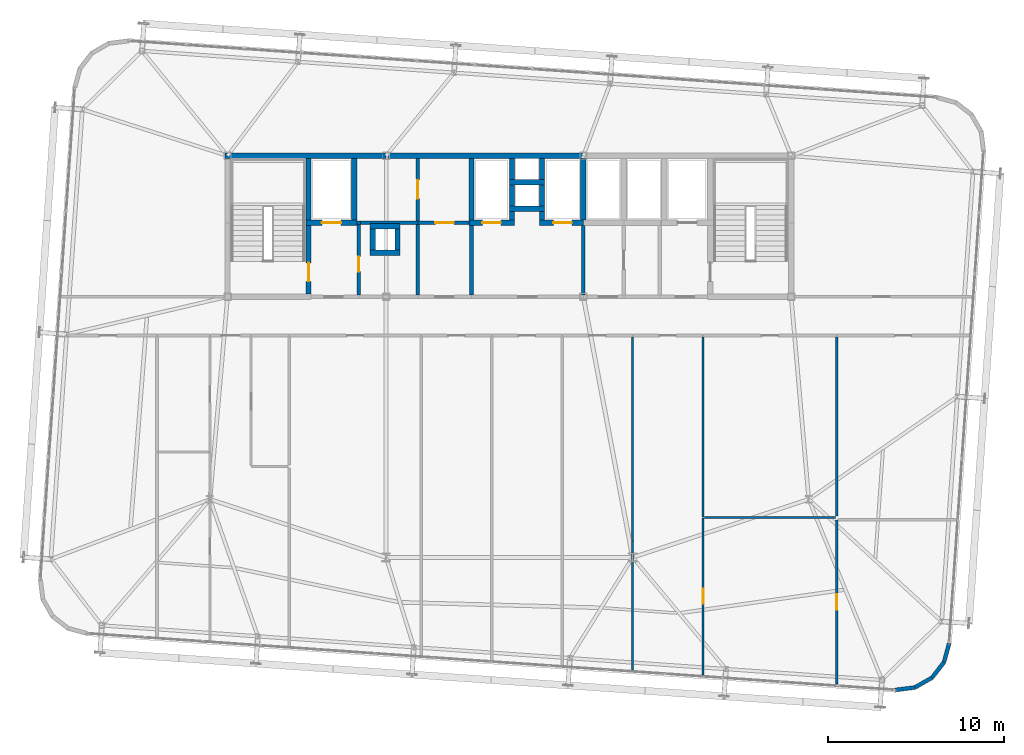
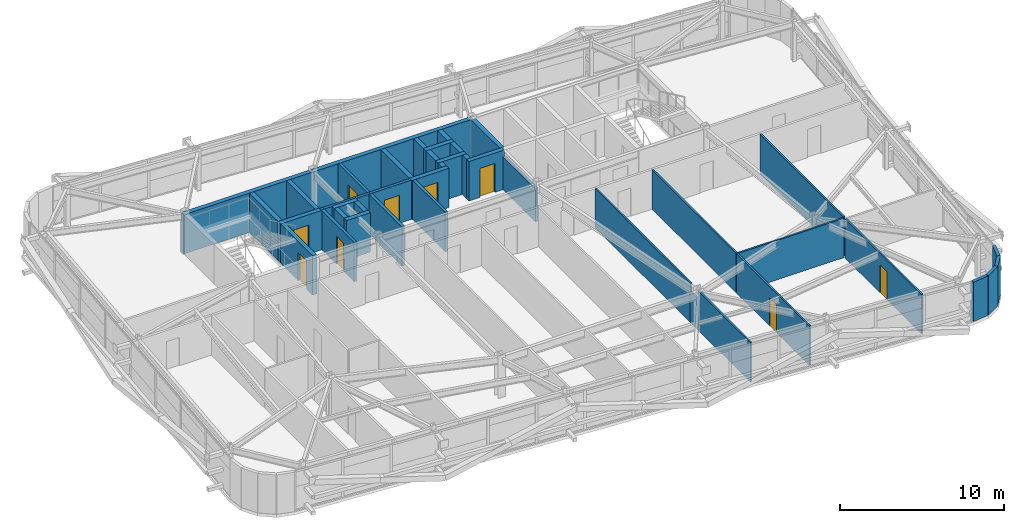
# One storey, part 42 of 47: 42 walls, 9 doors, 9 openings.
"""IFC4 building model written with IfcOpenShell, lengths in metres."""

from ifc_helpers import new_model, si_unit, direction, frame, frame_2d, origin, place, context, subcontext, project, spatial, rectangle, extrude, source, transform, mapped, material, layer, layer_set, type_object, element, fill, save


model = new_model("IFC4")

# Units and contexts
model_context = context("Model", 3, precision=1e-05, world=origin(), true_north=direction((0.0, 1.0)))
body_context = subcontext(model_context, "Body", "Model", "MODEL_VIEW")
ifc_project = project(units=[si_unit("LENGTHUNIT", "METRE"), si_unit("AREAUNIT", "SQUARE_METRE"), si_unit("VOLUMEUNIT", "CUBIC_METRE"), si_unit("PLANEANGLEUNIT", "RADIAN"), si_unit("MASSUNIT", "GRAM", prefix="KILO")], contexts=[model_context])

# Site, building, storey
site_placement = place(None, origin())
site = spatial("IfcSite", under=ifc_project, at=site_placement, CompositionType="ELEMENT")
building_placement = place(site_placement, origin())
building = spatial("IfcBuilding", under=site, at=building_placement, Name="Taldren Reach Tower", CompositionType="ELEMENT")
storey_placement = place(building_placement, frame((0.0, 0.0, 142.449951171875)))
storey = spatial("IfcBuildingStorey", under=building, at=storey_placement, Name="L43", CompositionType="ELEMENT", Elevation=142.449951171875)

# Walls
ifc_material_1 = material(Name="Pale Champagne Anodised Aluminium Cladding", Category="aluminium")
ifc_layer_1 = layer(ifc_material_1, 0.04, Name="Pale Champagne Anodised Aluminium Cladding", Category="aluminium")
ifc_material_2 = material(Name="Mineral Wool Acoustic Insulation", Category="insulation")
ifc_layer_2 = layer(ifc_material_2, 0.06, Name="Mineral Wool Acoustic Insulation", Category="insulation")
ifc_material_3 = material(Name="Steel Gr 350 (C350L0)", Category="steel")
ifc_layer_3 = layer(ifc_material_3, 0.12, Name="Steel Gr 350 (C350L0)", Category="steel")
ifc_layer_set_1 = layer_set([ifc_layer_1, ifc_layer_2, ifc_layer_3], Name="Pale Champagne Aluminium Cladding and Steel Gr 350 Stud Framing")
wall_type_1 = type_object("IfcWallType", Name="EW-CRN-220", PredefinedType="SOLIDWALL", material=ifc_layer_set_1)
shared_shape_1 = source(origin(), body_context, "Body", "SweptSolid", [
    extrude(rectangle(XDim=1.115966796875, YDim=0.219970703125, at=frame_2d((0.55810546875, 0.0))), origin(), (0.0, 0.0, 1.0), 2.929931640625),
])
for number, where, z_axis, x_axis, name in (
    (1, (58.02490234375, 1.8173828125, 0.0), (0.0, 0.0, 1.0), (0.868095010314, 0.496398079235, 0.0), "Rounded-corner pale-metal facade wall L43-SE2"),
    (2, (58.99365234375, 2.371337890625, 0.0), (0.0, 0.0, 1.0), (0.612318787668, 0.790610967714, 0.0), "Rounded-corner pale-metal facade wall L43-SE3"),
    (3, (59.677001953125, 3.253662109375, 0.0), (0.0, 0.0, 1.0), (0.262969307856, 0.964804199372, 0.0), "Rounded-corner pale-metal facade wall L43-SE4"),
):
    element("IfcWall", number, at=place(storey_placement, frame(where, z_axis=z_axis, x_axis=x_axis)), inside=storey, type_object=wall_type_1, Name=name, PredefinedType="SOLIDWALL", context=body_context, shape_type="MappedRepresentation", body=[
        mapped(shared_shape_1, transform((0.0, 0.0, 0.0), scale=1.0)),
    ])
shared_shape_2 = source(origin(), body_context, "Body", "SweptSolid", [
    extrude(rectangle(XDim=1.11572265625, YDim=0.219970703125, at=frame_2d((0.557861328125, 0.0))), origin(), (0.0, 0.0, 1.0), 2.929931640625),
])
wall_1_placement = place(storey_placement, frame((56.91796875, 1.6767578125, 0.0), z_axis=(0.0, 0.0, 1.0), x_axis=(0.99202678349, 0.126027222605, 0.0)))
element("IfcWall", 4, at=wall_1_placement, inside=storey, type_object=wall_type_1, Name="Rounded-corner pale-metal facade wall L43-SE1", PredefinedType="SOLIDWALL", context=body_context, shape_type="MappedRepresentation", body=[
    mapped(shared_shape_2, transform((0.0, 0.0, 0.0), scale=1.0)),
])
ifc_material_4 = material(Name="Concrete S65 (65 MPa)", Category="concrete")
ifc_layer_4 = layer(ifc_material_4, 0.300048828125)
ifc_layer_set_2 = layer_set([ifc_layer_4], Name="Concrete S65 (65 MPa)")
wall_type_2 = type_object("IfcWallType", Name="IW-CORE-300", PredefinedType="SHEAR", material=ifc_layer_set_2)
shared_shape_3 = source(origin(), body_context, "Body", "SweptSolid", [
    extrude(rectangle(XDim=9.14990234375, YDim=0.300048828125, at=frame_2d((4.574951171875, 0.0))), origin(), (0.0, 0.0, 1.0), 2.929931640625),
])
wall_2_placement = place(storey_placement, frame((18.85009765625, 32.0, 0.0), z_axis=(0.0, 0.0, 1.0), x_axis=(1.0, 0.0, 0.0)))
element("IfcWall", 5, at=wall_2_placement, inside=storey, type_object=wall_type_2, Name="Rear Core Shear Wall W-CORE-L43-NORTH1", PredefinedType="SHEAR", context=body_context, shape_type="MappedRepresentation", body=[
    mapped(shared_shape_3, transform((0.0, 0.0, 0.0), scale=1.0)),
])
shared_shape_4 = source(origin(), body_context, "Body", "SweptSolid", [
    extrude(rectangle(XDim=11.199951171875, YDim=0.300048828125, at=frame_2d((5.60009765625, 0.0))), origin(), (0.0, 0.0, 1.0), 2.929931640625),
])
wall_3_placement = place(storey_placement, frame((28.0, 32.0, 0.0), z_axis=(0.0, 0.0, 1.0), x_axis=(1.0, 0.0, 0.0)))
element("IfcWall", 6, at=wall_3_placement, inside=storey, type_object=wall_type_2, Name="Rear Core Shear Wall W-CORE-L43-NORTH2", PredefinedType="SHEAR", context=body_context, shape_type="MappedRepresentation", body=[
    mapped(shared_shape_4, transform((0.0, 0.0, 0.0), scale=1.0)),
])
shared_shape_5 = source(origin(), body_context, "Body", "SweptSolid", [
    extrude(rectangle(XDim=3.5, YDim=0.300048828125, at=frame_2d((1.75, 0.0))), origin(), (0.0, 0.0, 1.0), 2.929931640625),
])
for number, where, z_axis, x_axis, name in (
    (7, (23.60009765625, 28.35009765625, 0.0), (0.0, 0.0, 1.0), (0.0, 1.0, 0.0), "Rear Core Shear Wall W-INT-L43-001"),
    (8, (26.199951171875, 28.35009765625, 0.0), (0.0, 0.0, 1.0), (0.0, 1.0, 0.0), "Rear Core Shear Wall W-INT-L43-005"),
    (9, (32.85009765625, 31.85009765625, 0.0), (0.0, 0.0, 1.0), (0.0, -1.0, 0.0), "Rear Core Shear Wall W-INT-L43-027"),
    (10, (39.199951171875, 28.35009765625, 0.0), (0.0, 0.0, 1.0), (0.0, 1.0, 0.0), "Rear Core Shear Wall W-INT-L43-030"),
):
    element("IfcWall", number, at=place(storey_placement, frame(where, z_axis=z_axis, x_axis=x_axis)), inside=storey, type_object=wall_type_2, Name=name, PredefinedType="SHEAR", context=body_context, shape_type="MappedRepresentation", body=[
        mapped(shared_shape_5, transform((0.0, 0.0, 0.0), scale=1.0)),
    ])

# Wall, opening, door
shared_shape_6 = source(origin(), body_context, "Body", "SweptSolid", [
    extrude(rectangle(XDim=3.900146484375, YDim=0.300048828125, at=frame_2d((1.9501953125, 0.0))), origin(), (0.0, 0.0, 1.0), 2.929931640625),
])
wall_4_placement = place(storey_placement, frame((23.60009765625, 24.14990234375, 0.0), z_axis=(0.0, 0.0, 1.0), x_axis=(0.0, 1.0, 0.0)))
wall_4 = element("IfcWall", 11, at=wall_4_placement, inside=storey, type_object=wall_type_2, Name="Rear Core Shear Wall W-INT-L43-002", PredefinedType="SHEAR", context=body_context, shape_type="MappedRepresentation", body=[
    mapped(shared_shape_6, transform((0.0, 0.0, 0.0), scale=1.0)),
])
shared_shape_7 = source(origin(), body_context, "Body", "SweptSolid", [
    extrude(rectangle(XDim=1.050048828125, YDim=2.10009765625, at=frame_2d((0.52490234375, 1.050048828125))), frame((0.0, 0.16015625, 0.0), z_axis=(0.0, -1.0, 0.0), x_axis=(1.0, 0.0, 0.0)), (0.0, 0.0, 1.0), 0.320068359375),
])
opening_1_placement = place(wall_4_placement, frame((0.72509765625, 0.0, 0.0)))
opening_1 = element("IfcOpeningElement", 12, at=opening_1_placement, cuts=wall_4, Name="Opening DF-105", PredefinedType="OPENING", context=body_context, shape_type="MappedRepresentation", body=[
    mapped(shared_shape_7, transform((0.0, 0.0, 0.0), scale=1.0)),
])
ifc_material_5 = material(Name="Fire-Rated Care and Stair Exit Door")
door_type_1 = type_object("IfcDoorType", Name="ID-FIRE-105", OperationType="NOTDEFINED", PredefinedType="DOOR", material=ifc_material_5)
shared_shape_8 = source(origin(), body_context, "Body", "SweptSolid", [
    extrude(rectangle(XDim=1.050048828125, YDim=2.10009765625, at=frame_2d((0.52490234375, 1.050048828125))), frame((0.0, 0.02490234375, 0.0), z_axis=(0.0, -1.0, 0.0), x_axis=(1.0, 0.0, 0.0)), (0.0, 0.0, 1.0), 0.050048828125),
])
door_1_placement = place(opening_1_placement, origin())
door_1 = element("IfcDoor", 13, at=door_1_placement, inside=storey, type_object=door_type_1, Name="Fire Exit Stair Door DR-L43-001", OperationType="SINGLE_SWING_LEFT", OverallHeight=2.10009765625, OverallWidth=1.050048828125, PredefinedType="DOOR", context=body_context, shape_type="MappedRepresentation", body=[
    mapped(shared_shape_8, transform((0.0, 0.0, 0.0), scale=1.0)),
])
fill(opening_1, door_1)

shared_shape_9 = source(origin(), body_context, "Body", "SweptSolid", [
    extrude(rectangle(XDim=2.900146484375, YDim=0.300048828125, at=frame_2d((1.4501953125, 0.0))), origin(), (0.0, 0.0, 1.0), 2.929931640625),
])
wall_5_placement = place(storey_placement, frame((23.449951171875, 28.199951171875, 0.0), z_axis=(0.0, 0.0, 1.0), x_axis=(1.0, 0.0, 0.0)))
wall_5 = element("IfcWall", 14, at=wall_5_placement, inside=storey, type_object=wall_type_2, Name="Rear Core Shear Wall W-INT-L43-004", PredefinedType="SHEAR", context=body_context, shape_type="MappedRepresentation", body=[
    mapped(shared_shape_9, transform((0.0, 0.0, 0.0), scale=1.0)),
])
shared_shape_10 = source(origin(), body_context, "Body", "SweptSolid", [
    extrude(rectangle(XDim=1.10009765625, YDim=2.14990234375, at=frame_2d((0.550048828125, 1.074951171875))), frame((0.0, 0.16015625, 0.0), z_axis=(0.0, -1.0, 0.0), x_axis=(1.0, 0.0, 0.0)), (0.0, 0.0, 1.0), 0.320068359375),
])
opening_2_placement = place(wall_5_placement, frame((0.89990234375, 0.0, 0.0)))
opening_2 = element("IfcOpeningElement", 15, at=opening_2_placement, cuts=wall_5, Name="Opening LD-FL1", PredefinedType="OPENING", context=body_context, shape_type="MappedRepresentation", body=[
    mapped(shared_shape_10, transform((0.0, 0.0, 0.0), scale=1.0)),
])
ifc_material_6 = material(Name="Stainless Steel Gr 316 Emergency Lift Landing Door", Category="steel")
door_type_2 = type_object("IfcDoorType", Name="LD-EMG-110", OperationType="SLIDING_TO_LEFT", PredefinedType="DOOR", material=ifc_material_6)
shared_shape_11 = source(origin(), body_context, "Body", "SweptSolid", [
    extrude(rectangle(XDim=1.10009765625, YDim=2.14990234375, at=frame_2d((0.550048828125, 1.074951171875))), frame((0.0, 0.02490234375, 0.0), z_axis=(0.0, -1.0, 0.0), x_axis=(1.0, 0.0, 0.0)), (0.0, 0.0, 1.0), 0.050048828125),
])
door_2_placement = place(opening_2_placement, origin())
door_2 = element("IfcDoor", 16, at=door_2_placement, inside=storey, type_object=door_type_2, Name="Lift Landing Door LD-FL1-L43", OperationType="SLIDING_TO_LEFT", OverallHeight=2.14990234375, OverallWidth=1.10009765625, PredefinedType="DOOR", context=body_context, shape_type="MappedRepresentation", body=[
    mapped(shared_shape_11, transform((0.0, 0.0, 0.0), scale=1.0)),
])
fill(opening_2, door_2)

# Walls
ifc_material_7 = material(Name="Concrete S50 (50 MPa)", Category="concrete")
ifc_layer_5 = layer(ifc_material_7, 0.199951171875)
ifc_layer_set_3 = layer_set([ifc_layer_5], Name="Concrete S50 (50 MPa)")
wall_type_3 = type_object("IfcWallType", Name="IW-CORE-200", PredefinedType="SOLIDWALL", material=ifc_layer_set_3)
shared_shape_12 = source(origin(), body_context, "Body", "SweptSolid", [
    extrude(rectangle(XDim=3.949951171875, YDim=0.199951171875, at=frame_2d((1.97509765625, 0.0))), origin(), (0.0, 0.0, 1.0), 2.929931640625),
])
wall_6_placement = place(storey_placement, frame((32.85009765625, 24.10009765625, 0.0), z_axis=(0.0, 0.0, 1.0), x_axis=(0.0, 1.0, 0.0)))
element("IfcWall", 17, at=wall_6_placement, inside=storey, type_object=wall_type_3, Name="Rear Core Shear Wall W-INT-L43-031", PredefinedType="SOLIDWALL", context=body_context, shape_type="MappedRepresentation", body=[
    mapped(shared_shape_12, transform((0.0, 0.0, 0.0), scale=1.0)),
])
shared_shape_13 = source(origin(), body_context, "Body", "SweptSolid", [
    extrude(rectangle(XDim=2.0, YDim=0.300048828125, at=frame_2d((1.0, 0.0))), origin(), (0.0, 0.0, 1.0), 2.929931640625),
])
for number, where, z_axis, x_axis, name in (
    (18, (35.0, 30.5, 0.0), (0.0, 0.0, 1.0), (1.0, 0.0, 0.0), "Rear Core Shear Wall W-INT-L43-015"),
    (19, (35.0, 29.0, 0.0), (0.0, 0.0, 1.0), (1.0, 0.0, 0.0), "Rear Core Shear Wall W-INT-L43-020"),
):
    element("IfcWall", number, at=place(storey_placement, frame(where, z_axis=z_axis, x_axis=x_axis)), inside=storey, type_object=wall_type_2, Name=name, PredefinedType="SHEAR", context=body_context, shape_type="MappedRepresentation", body=[
        mapped(shared_shape_13, transform((0.0, 0.0, 0.0), scale=1.0)),
    ])
shared_shape_14 = source(origin(), body_context, "Body", "SweptSolid", [
    extrude(rectangle(XDim=1.2001953125, YDim=0.300048828125, at=frame_2d((0.60009765625, 0.0))), origin(), (0.0, 0.0, 1.0), 2.929931640625),
])
for number, where, z_axis, x_axis, name in (
    (20, (35.14990234375, 31.85009765625, 0.0), (0.0, 0.0, 1.0), (0.0, -1.0, 0.0), "Rear Core Shear Wall W-INT-L43-016"),
    (21, (36.85009765625, 30.64990234375, 0.0), (0.0, 0.0, 1.0), (0.0, 1.0, 0.0), "Rear Core Shear Wall W-INT-L43-017"),
    (22, (35.14990234375, 30.35009765625, 0.0), (0.0, 0.0, 1.0), (0.0, -1.0, 0.0), "Rear Core Shear Wall W-INT-L43-018"),
    (23, (36.85009765625, 29.14990234375, 0.0), (0.0, 0.0, 1.0), (0.0, 1.0, 0.0), "Rear Core Shear Wall W-INT-L43-019"),
    (24, (28.64990234375, 26.64990234375, 0.0), (0.0, 0.0, 1.0), (0.0, 1.0, 0.0), "Rear Core Shear Wall W-INT-L43-021"),
    (25, (27.25, 27.85009765625, 0.0), (0.0, 0.0, 1.0), (0.0, -1.0, 0.0), "Rear Core Shear Wall W-INT-L43-022"),
):
    element("IfcWall", number, at=place(storey_placement, frame(where, z_axis=z_axis, x_axis=x_axis)), inside=storey, type_object=wall_type_2, Name=name, PredefinedType="SHEAR", context=body_context, shape_type="MappedRepresentation", body=[
        mapped(shared_shape_14, transform((0.0, 0.0, 0.0), scale=1.0)),
    ])
shared_shape_15 = source(origin(), body_context, "Body", "SweptSolid", [
    extrude(rectangle(XDim=0.5, YDim=0.300048828125, at=frame_2d((0.25, 0.0))), origin(), (0.0, 0.0, 1.0), 2.929931640625),
])
for number, where, z_axis, x_axis, name in (
    (26, (35.14990234375, 28.35009765625, 0.0), (0.0, 0.0, 1.0), (0.0, 1.0, 0.0), "Rear Core Shear Wall W-INT-L43-026"),
    (27, (36.85009765625, 28.85009765625, 0.0), (0.0, 0.0, 1.0), (0.0, -1.0, 0.0), "Rear Core Shear Wall W-INT-L43-029"),
):
    element("IfcWall", number, at=place(storey_placement, frame(where, z_axis=z_axis, x_axis=x_axis)), inside=storey, type_object=wall_type_2, Name=name, PredefinedType="SHEAR", context=body_context, shape_type="MappedRepresentation", body=[
        mapped(shared_shape_15, transform((0.0, 0.0, 0.0), scale=1.0)),
    ])

# Wall, opening, door
shared_shape_16 = source(origin(), body_context, "Body", "SweptSolid", [
    extrude(rectangle(XDim=2.60009765625, YDim=0.300048828125, at=frame_2d((1.300048828125, 0.0))), origin(), (0.0, 0.0, 1.0), 2.929931640625),
])
wall_7_placement = place(storey_placement, frame((32.699951171875, 28.199951171875, 0.0), z_axis=(0.0, 0.0, 1.0), x_axis=(1.0, 0.0, 0.0)))
wall_7 = element("IfcWall", 28, at=wall_7_placement, inside=storey, type_object=wall_type_2, Name="Rear Core Shear Wall W-INT-L43-025", PredefinedType="SHEAR", context=body_context, shape_type="MappedRepresentation", body=[
    mapped(shared_shape_16, transform((0.0, 0.0, 0.0), scale=1.0)),
])
shared_shape_17 = source(origin(), body_context, "Body", "SweptSolid", [
    extrude(rectangle(XDim=1.050048828125, YDim=2.14990234375, at=frame_2d((0.52490234375, 1.074951171875))), frame((0.0, 0.16015625, 0.0), z_axis=(0.0, -1.0, 0.0), x_axis=(1.0, 0.0, 0.0)), (0.0, 0.0, 1.0), 0.320068359375),
])
opening_3_placement = place(wall_7_placement, frame((0.77490234375, 0.0, 0.0)))
opening_3 = element("IfcOpeningElement", 29, at=opening_3_placement, cuts=wall_7, Name="Opening LD-PM1", PredefinedType="OPENING", context=body_context, shape_type="MappedRepresentation", body=[
    mapped(shared_shape_17, transform((0.0, 0.0, 0.0), scale=1.0)),
])
ifc_material_8 = material(Name="Stainless Steel Gr 316 Passenger Lift Landing Door", Category="steel")
door_type_3 = type_object("IfcDoorType", Name="LD-PAS-105", OperationType="SLIDING_TO_LEFT", PredefinedType="DOOR", material=ifc_material_8)
shared_shape_18 = source(origin(), body_context, "Body", "SweptSolid", [
    extrude(rectangle(XDim=1.050048828125, YDim=2.14990234375, at=frame_2d((0.52490234375, 1.074951171875))), frame((0.0, 0.02490234375, 0.0), z_axis=(0.0, -1.0, 0.0), x_axis=(1.0, 0.0, 0.0)), (0.0, 0.0, 1.0), 0.050048828125),
])
door_3_placement = place(opening_3_placement, origin())
door_3 = element("IfcDoor", 30, at=door_3_placement, inside=storey, type_object=door_type_3, Name="Lift Landing Door LD-PM1-L43", OperationType="SLIDING_TO_LEFT", OverallHeight=2.14990234375, OverallWidth=1.050048828125, PredefinedType="DOOR", context=body_context, shape_type="MappedRepresentation", body=[
    mapped(shared_shape_18, transform((0.0, 0.0, 0.0), scale=1.0)),
])
fill(opening_3, door_3)

shared_shape_19 = source(origin(), body_context, "Body", "SweptSolid", [
    extrude(rectangle(XDim=4.0, YDim=0.199951171875, at=frame_2d((2.0, 0.0))), origin(), (0.0, 0.0, 1.0), 2.929931640625),
])
wall_8_placement = place(storey_placement, frame((26.449951171875, 24.10009765625, 0.0), z_axis=(0.0, 0.0, 1.0), x_axis=(0.0, 1.0, 0.0)))
wall_8 = element("IfcWall", 31, at=wall_8_placement, inside=storey, type_object=wall_type_3, Name="Rear Core Shear Wall W-INT-L43-006", PredefinedType="SOLIDWALL", context=body_context, shape_type="MappedRepresentation", body=[
    mapped(shared_shape_19, transform((0.0, 0.0, 0.0), scale=1.0)),
])
shared_shape_20 = source(origin(), body_context, "Body", "SweptSolid", [
    extrude(rectangle(XDim=0.860107421875, YDim=2.10009765625, at=frame_2d((0.43017578125, 1.050048828125))), frame((0.0, 0.10986328125, 0.0), z_axis=(0.0, -1.0, 0.0), x_axis=(1.0, 0.0, 0.0)), (0.0, 0.0, 1.0), 0.219970703125),
])
opening_4_placement = place(wall_8_placement, frame((1.320068359375, 0.0, 0.0)))
opening_4 = element("IfcOpeningElement", 32, at=opening_4_placement, cuts=wall_8, Name="Opening DI-086", PredefinedType="OPENING", context=body_context, shape_type="MappedRepresentation", body=[
    mapped(shared_shape_20, transform((0.0, 0.0, 0.0), scale=1.0)),
])
ifc_material_9 = material(Name="Timber Bathroom Door", Category="wood")
door_type_4 = type_object("IfcDoorType", Name="ID-INT-086", OperationType="NOTDEFINED", PredefinedType="DOOR", material=ifc_material_9)
shared_shape_21 = source(origin(), body_context, "Body", "SweptSolid", [
    extrude(rectangle(XDim=0.860107421875, YDim=2.10009765625, at=frame_2d((0.43017578125, 1.050048828125))), frame((0.0, 0.02490234375, 0.0), z_axis=(0.0, -1.0, 0.0), x_axis=(1.0, 0.0, 0.0)), (0.0, 0.0, 1.0), 0.050048828125),
])
door_4_placement = place(opening_4_placement, frame((0.860107421875, 0.0, 0.0), z_axis=(0.0, 0.0, 1.0), x_axis=(-1.0, 0.0, 0.0)))
door_4 = element("IfcDoor", 33, at=door_4_placement, inside=storey, type_object=door_type_4, Name="Interior Door DR-L43-024", OperationType="SINGLE_SWING_RIGHT", OverallHeight=2.10009765625, OverallWidth=0.860107421875, PredefinedType="DOOR", context=body_context, shape_type="MappedRepresentation", body=[
    mapped(shared_shape_21, transform((0.0, 0.0, 0.0), scale=1.0)),
])
fill(opening_4, door_4)

# Walls
wall_9_placement = place(storey_placement, frame((29.800048828125, 28.10009765625, 0.0), z_axis=(0.0, 0.0, 1.0), x_axis=(0.0, -1.0, 0.0)))
element("IfcWall", 34, at=wall_9_placement, inside=storey, type_object=wall_type_3, Name="Rear Core Shear Wall W-INT-L43-037", PredefinedType="SOLIDWALL", context=body_context, shape_type="MappedRepresentation", body=[
    mapped(shared_shape_19, transform((0.0, 0.0, 0.0), scale=1.0)),
])
shared_shape_22 = source(origin(), body_context, "Body", "SweptSolid", [
    extrude(rectangle(XDim=1.699951171875, YDim=0.300048828125, at=frame_2d((0.85009765625, 0.0))), origin(), (0.0, 0.0, 1.0), 2.929931640625),
])
for number, where, z_axis, x_axis, name in (
    (35, (28.800048828125, 28.0, 0.0), (0.0, 0.0, 1.0), (-1.0, 0.0, 0.0), "Rear Core Shear Wall W-INT-L43-023"),
    (36, (27.10009765625, 26.5, 0.0), (0.0, 0.0, 1.0), (1.0, 0.0, 0.0), "Rear Core Shear Wall W-INT-L43-024"),
):
    element("IfcWall", number, at=place(storey_placement, frame(where, z_axis=z_axis, x_axis=x_axis)), inside=storey, type_object=wall_type_2, Name=name, PredefinedType="SHEAR", context=body_context, shape_type="MappedRepresentation", body=[
        mapped(shared_shape_22, transform((0.0, 0.0, 0.0), scale=1.0)),
    ])

# Wall, opening, door
shared_shape_23 = source(origin(), body_context, "Body", "SweptSolid", [
    extrude(rectangle(XDim=2.5, YDim=0.300048828125, at=frame_2d((1.25, 0.0))), origin(), (0.0, 0.0, 1.0), 2.929931640625),
])
wall_10_placement = place(storey_placement, frame((36.699951171875, 28.199951171875, 0.0), z_axis=(0.0, 0.0, 1.0), x_axis=(1.0, 0.0, 0.0)))
wall_10 = element("IfcWall", 37, at=wall_10_placement, inside=storey, type_object=wall_type_2, Name="Rear Core Shear Wall W-INT-L43-028", PredefinedType="SHEAR", context=body_context, shape_type="MappedRepresentation", body=[
    mapped(shared_shape_23, transform((0.0, 0.0, 0.0), scale=1.0)),
])
opening_5_placement = place(wall_10_placement, frame((0.794921875, 0.0, 0.0)))
opening_5 = element("IfcOpeningElement", 38, at=opening_5_placement, cuts=wall_10, Name="Opening LD-PM2", PredefinedType="OPENING", context=body_context, shape_type="MappedRepresentation", body=[
    mapped(shared_shape_17, transform((0.0, 0.0, 0.0), scale=1.0)),
])
door_5_placement = place(opening_5_placement, origin())
door_5 = element("IfcDoor", 39, at=door_5_placement, inside=storey, type_object=door_type_3, Name="Lift Landing Door LD-PM2-L43", OperationType="SLIDING_TO_LEFT", OverallHeight=2.14990234375, OverallWidth=1.050048828125, PredefinedType="DOOR", context=body_context, shape_type="MappedRepresentation", body=[
    mapped(shared_shape_18, transform((0.0, 0.0, 0.0), scale=1.0)),
])
fill(opening_5, door_5)

# Walls
shared_shape_24 = source(origin(), body_context, "Body", "SweptSolid", [
    extrude(rectangle(XDim=3.949951171875, YDim=0.199951171875, at=frame_2d((1.97509765625, 0.0))), origin(), (0.0, 0.0, 1.0), 2.469970703125),
])
wall_11_placement = place(storey_placement, frame((39.199951171875, 28.050048828125, 0.0), z_axis=(0.0, 0.0, 1.0), x_axis=(0.0, -1.0, 0.0)))
element("IfcWall", 40, at=wall_11_placement, inside=storey, type_object=wall_type_3, Name="Rear Core Shear Wall W-INT-L43-032", PredefinedType="SOLIDWALL", context=body_context, shape_type="MappedRepresentation", body=[
    mapped(shared_shape_24, transform((0.0, 0.0, 0.0), scale=1.0)),
])
shared_shape_25 = source(origin(), body_context, "Body", "SweptSolid", [
    extrude(rectangle(XDim=3.35009765625, YDim=0.199951171875, at=frame_2d((1.675048828125, 0.0))), origin(), (0.0, 0.0, 1.0), 2.929931640625),
])
wall_12_placement = place(storey_placement, frame((26.449951171875, 28.199951171875, 0.0), z_axis=(0.0, 0.0, 1.0), x_axis=(1.0, 0.0, 0.0)))
element("IfcWall", 41, at=wall_12_placement, inside=storey, type_object=wall_type_3, Name="Rear Core Shear Wall W-INT-L43-038", PredefinedType="SOLIDWALL", context=body_context, shape_type="MappedRepresentation", body=[
    mapped(shared_shape_25, transform((0.0, 0.0, 0.0), scale=1.0)),
])

# Wall, opening, door
shared_shape_26 = source(origin(), body_context, "Body", "SweptSolid", [
    extrude(rectangle(XDim=2.89990234375, YDim=0.199951171875, at=frame_2d((1.449951171875, 0.0))), origin(), (0.0, 0.0, 1.0), 2.929931640625),
])
wall_13_placement = place(storey_placement, frame((29.800048828125, 28.199951171875, 0.0), z_axis=(0.0, 0.0, 1.0), x_axis=(1.0, 0.0, 0.0)))
wall_13 = element("IfcWall", 42, at=wall_13_placement, inside=storey, type_object=wall_type_3, Name="Rear Core Shear Wall W-INT-L43-040", PredefinedType="SOLIDWALL", context=body_context, shape_type="MappedRepresentation", body=[
    mapped(shared_shape_26, transform((0.0, 0.0, 0.0), scale=1.0)),
])
shared_shape_27 = source(origin(), body_context, "Body", "SweptSolid", [
    extrude(rectangle(XDim=1.050048828125, YDim=2.10009765625, at=frame_2d((0.52490234375, 1.050048828125))), frame((0.0, 0.10986328125, 0.0), z_axis=(0.0, -1.0, 0.0), x_axis=(1.0, 0.0, 0.0)), (0.0, 0.0, 1.0), 0.219970703125),
])
opening_6_placement = place(wall_13_placement, frame((1.0, 0.0, 0.0)))
opening_6 = element("IfcOpeningElement", 43, at=opening_6_placement, cuts=wall_13, Name="Opening DF-105", PredefinedType="OPENING", context=body_context, shape_type="MappedRepresentation", body=[
    mapped(shared_shape_27, transform((0.0, 0.0, 0.0), scale=1.0)),
])
door_6_placement = place(opening_6_placement, origin())
door_6 = element("IfcDoor", 44, at=door_6_placement, inside=storey, type_object=door_type_1, Name="Interior Door DR-L43-006", OperationType="SINGLE_SWING_LEFT", OverallHeight=2.10009765625, OverallWidth=1.050048828125, PredefinedType="DOOR", context=body_context, shape_type="MappedRepresentation", body=[
    mapped(shared_shape_8, transform((0.0, 0.0, 0.0), scale=1.0)),
])
fill(opening_6, door_6)

shared_shape_28 = source(origin(), body_context, "Body", "SweptSolid", [
    extrude(rectangle(XDim=3.550048828125, YDim=0.199951171875, at=frame_2d((1.77490234375, 0.0))), origin(), (0.0, 0.0, 1.0), 2.929931640625),
])
wall_14_placement = place(storey_placement, frame((29.800048828125, 31.85009765625, 0.0), z_axis=(0.0, 0.0, 1.0), x_axis=(0.0, -1.0, 0.0)))
wall_14 = element("IfcWall", 45, at=wall_14_placement, inside=storey, type_object=wall_type_3, Name="Rear Core Shear Wall W-INT-L43-042", PredefinedType="SOLIDWALL", context=body_context, shape_type="MappedRepresentation", body=[
    mapped(shared_shape_28, transform((0.0, 0.0, 0.0), scale=1.0)),
])
opening_7_placement = place(wall_14_placement, frame((1.22509765625, 0.0, 0.0)))
opening_7 = element("IfcOpeningElement", 46, at=opening_7_placement, cuts=wall_14, Name="Opening DF-105", PredefinedType="OPENING", context=body_context, shape_type="MappedRepresentation", body=[
    mapped(shared_shape_27, transform((0.0, 0.0, 0.0), scale=1.0)),
])
door_7_placement = place(opening_7_placement, frame((1.050048828125, 0.0, 0.0), z_axis=(0.0, 0.0, 1.0), x_axis=(-1.0, 0.0, 0.0)))
door_7 = element("IfcDoor", 47, at=door_7_placement, inside=storey, type_object=door_type_1, Name="Interior Door DR-L43-008", OperationType="SINGLE_SWING_RIGHT", OverallHeight=2.10009765625, OverallWidth=1.050048828125, PredefinedType="DOOR", context=body_context, shape_type="MappedRepresentation", body=[
    mapped(shared_shape_8, transform((0.0, 0.0, 0.0), scale=1.0)),
])
fill(opening_7, door_7)

# Walls
shared_shape_29 = source(origin(), body_context, "Body", "SweptSolid", [
    extrude(rectangle(XDim=0.199951171875, YDim=0.199951171875, at=frame_2d((0.10009765625, 0.0))), origin(), (0.0, 0.0, 1.0), 2.929931640625),
])
wall_15_placement = place(storey_placement, frame((26.35009765625, 28.199951171875, 0.0), z_axis=(0.0, 0.0, 1.0), x_axis=(1.0, 0.0, 0.0)))
element("IfcWall", 48, at=wall_15_placement, inside=storey, type_object=wall_type_3, Name="Rear Core Partition Wall W-INT-L43-078", PredefinedType="SOLIDWALL", context=body_context, shape_type="MappedRepresentation", body=[
    mapped(shared_shape_29, transform((0.0, 0.0, 0.0), scale=1.0)),
])
ifc_material_10 = material(Name="Insulated Residential Stud Partition", Category="gypsum")
ifc_layer_6 = layer(ifc_material_10, 0.1201171875)
ifc_layer_set_4 = layer_set([ifc_layer_6], Name="Insulated Residential Stud Partition")
wall_type_4 = type_object("IfcWallType", Name="IW-PART-120", PredefinedType="PARTITIONING", material=ifc_layer_set_4)
shared_shape_30 = source(origin(), body_context, "Body", "SweptSolid", [
    extrude(rectangle(XDim=11.589599609375, YDim=0.1201171875, at=frame_2d((5.794921875, 0.0))), origin(), (0.0, 0.0, 1.0), 2.929931640625),
])
wall_16_placement = place(storey_placement, frame((42.0, 21.719970703125, 0.0), z_axis=(0.0, 0.0, 1.0), x_axis=(0.0, -1.0, 0.0)))
element("IfcWall", 49, at=wall_16_placement, inside=storey, type_object=wall_type_4, Name="Interior Partition Wall W-INT-L43-071", PredefinedType="PARTITIONING", context=body_context, shape_type="MappedRepresentation", body=[
    mapped(shared_shape_30, transform((0.0, 0.0, 0.0), scale=1.0)),
])
shared_shape_31 = source(origin(), body_context, "Body", "SweptSolid", [
    extrude(rectangle(XDim=6.373046875, YDim=0.1201171875, at=frame_2d((3.1865234375, 0.0))), origin(), (0.0, 0.0, 1.0), 2.929931640625),
])
wall_17_placement = place(storey_placement, frame((42.0, 9.188720703125, 0.0), z_axis=(0.0, 0.0, 1.0), x_axis=(0.0, -1.0, 0.0)))
element("IfcWall", 50, at=wall_17_placement, inside=storey, type_object=wall_type_4, Name="Interior Partition Wall W-INT-L43-071 part 3", PredefinedType="PARTITIONING", context=body_context, shape_type="MappedRepresentation", body=[
    mapped(shared_shape_31, transform((0.0, 0.0, 0.0), scale=1.0)),
])

# Wall, opening, door
shared_shape_32 = source(origin(), body_context, "Body", "SweptSolid", [
    extrude(rectangle(XDim=8.9072265625, YDim=0.1201171875, at=frame_2d((4.45361328125, 0.0))), origin(), (0.0, 0.0, 1.0), 2.929931640625),
])
wall_18_placement = place(storey_placement, frame((46.0, 11.445068359375, 0.0), z_axis=(0.0, 0.0, 1.0), x_axis=(0.0, -1.0, 0.0)))
wall_18 = element("IfcWall", 51, at=wall_18_placement, inside=storey, type_object=wall_type_4, Name="Interior Partition Wall W-INT-L43-072", PredefinedType="PARTITIONING", context=body_context, shape_type="MappedRepresentation", body=[
    mapped(shared_shape_32, transform((0.0, 0.0, 0.0), scale=1.0)),
])
shared_shape_33 = source(origin(), body_context, "Body", "SweptSolid", [
    extrude(rectangle(XDim=0.860107421875, YDim=2.10009765625, at=frame_2d((0.43017578125, 1.050048828125))), frame((0.0, 0.070068359375, 0.0), z_axis=(0.0, -1.0, 0.0), x_axis=(1.0, 0.0, 0.0)), (0.0, 0.0, 1.0), 0.14013671875),
])
opening_8_placement = place(wall_18_placement, frame((4.023681640625, 0.0, 0.0)))
opening_8 = element("IfcOpeningElement", 52, at=opening_8_placement, cuts=wall_18, Name="Opening DI-086", PredefinedType="OPENING", context=body_context, shape_type="MappedRepresentation", body=[
    mapped(shared_shape_33, transform((0.0, 0.0, 0.0), scale=1.0)),
])
door_8_placement = place(opening_8_placement, origin())
door_8 = element("IfcDoor", 53, at=door_8_placement, inside=storey, type_object=door_type_4, Name="Interior Door DR-L43-025", OperationType="SINGLE_SWING_RIGHT", OverallHeight=2.10009765625, OverallWidth=0.860107421875, PredefinedType="DOOR", context=body_context, shape_type="MappedRepresentation", body=[
    mapped(shared_shape_21, transform((0.0, 0.0, 0.0), scale=1.0)),
])
fill(opening_8, door_8)

# Walls
shared_shape_34 = source(origin(), body_context, "Body", "SweptSolid", [
    extrude(rectangle(XDim=10.232666015625, YDim=0.1201171875, at=frame_2d((5.1162109375, 0.0))), origin(), (0.0, 0.0, 1.0), 2.929931640625),
])
wall_19_placement = place(storey_placement, frame((46.0, 21.718017578125, 0.0), z_axis=(0.0, 0.0, 1.0), x_axis=(0.0, -1.0, 0.0)))
element("IfcWall", 54, at=wall_19_placement, inside=storey, type_object=wall_type_4, Name="Interior Partition Wall W-INT-L43-073", PredefinedType="PARTITIONING", context=body_context, shape_type="MappedRepresentation", body=[
    mapped(shared_shape_34, transform((0.0, 0.0, 0.0), scale=1.0)),
])
shared_shape_35 = source(origin(), body_context, "Body", "SweptSolid", [
    extrude(rectangle(XDim=7.427978515625, YDim=0.1201171875, at=frame_2d((3.7138671875, 0.0))), origin(), (0.0, 0.0, 1.0), 2.929931640625),
])
wall_20_placement = place(storey_placement, frame((46.080078125, 11.465087890625, 0.0), z_axis=(0.0, 0.0, 1.0), x_axis=(1.0, 0.0, 0.0)))
element("IfcWall", 55, at=wall_20_placement, inside=storey, type_object=wall_type_4, Name="Interior Partition Wall W-INT-L43-074", PredefinedType="PARTITIONING", context=body_context, shape_type="MappedRepresentation", body=[
    mapped(shared_shape_35, transform((0.0, 0.0, 0.0), scale=1.0)),
])

# Wall, opening, door
shared_shape_36 = source(origin(), body_context, "Body", "SweptSolid", [
    extrude(rectangle(XDim=9.3134765625, YDim=0.1201171875, at=frame_2d((4.65673828125, 0.0))), origin(), (0.0, 0.0, 1.0), 2.929931640625),
])
wall_21_placement = place(storey_placement, frame((53.588134765625, 11.32177734375, 0.0), z_axis=(0.0, 0.0, 1.0), x_axis=(0.0, -1.0, 0.0)))
wall_21 = element("IfcWall", 56, at=wall_21_placement, inside=storey, type_object=wall_type_4, Name="Interior Partition Wall W-INT-L43-075", PredefinedType="PARTITIONING", context=body_context, shape_type="MappedRepresentation", body=[
    mapped(shared_shape_36, transform((0.0, 0.0, 0.0), scale=1.0)),
])
opening_9_placement = place(wall_21_placement, frame((4.226806640625, 0.0, 0.0)))
opening_9 = element("IfcOpeningElement", 57, at=opening_9_placement, cuts=wall_21, Name="Opening DI-086", PredefinedType="OPENING", context=body_context, shape_type="MappedRepresentation", body=[
    mapped(shared_shape_33, transform((0.0, 0.0, 0.0), scale=1.0)),
])
door_9_placement = place(opening_9_placement, origin())
door_9 = element("IfcDoor", 58, at=door_9_placement, inside=storey, type_object=door_type_4, Name="Interior Door DR-L43-026", OperationType="SINGLE_SWING_LEFT", OverallHeight=2.10009765625, OverallWidth=0.860107421875, PredefinedType="DOOR", context=body_context, shape_type="MappedRepresentation", body=[
    mapped(shared_shape_21, transform((0.0, 0.0, 0.0), scale=1.0)),
])
fill(opening_9, door_9)

# Walls
shared_shape_37 = source(origin(), body_context, "Body", "SweptSolid", [
    extrude(rectangle(XDim=10.171875, YDim=0.1201171875, at=frame_2d((5.0859375, 0.0))), origin(), (0.0, 0.0, 1.0), 2.929931640625),
])
wall_22_placement = place(storey_placement, frame((53.588134765625, 21.717041015625, 0.0), z_axis=(0.0, 0.0, 1.0), x_axis=(0.0, -1.0, 0.0)))
element("IfcWall", 59, at=wall_22_placement, inside=storey, type_object=wall_type_4, Name="Interior Partition Wall W-INT-L43-076", PredefinedType="PARTITIONING", context=body_context, shape_type="MappedRepresentation", body=[
    mapped(shared_shape_37, transform((0.0, 0.0, 0.0), scale=1.0)),
])
shared_shape_38 = source(origin(), body_context, "Body", "SweptSolid", [
    extrude(rectangle(XDim=0.941650390625, YDim=0.1201171875, at=frame_2d((0.470703125, 0.0))), origin(), (0.0, 0.0, 1.0), 2.328125),
])
wall_23_placement = place(storey_placement, frame((42.0, 10.13037109375, 0.0), z_axis=(0.0, 0.0, 1.0), x_axis=(0.0, -1.0, 0.0)))
element("IfcWall", 60, at=wall_23_placement, inside=storey, type_object=wall_type_4, Name="Interior Partition Wall W-INT-L43-071 part 2", PredefinedType="PARTITIONING", context=body_context, shape_type="MappedRepresentation", body=[
    mapped(shared_shape_38, transform((0.0, 0.0, 0.0), scale=1.0)),
])

save(model, "model.ifc")
